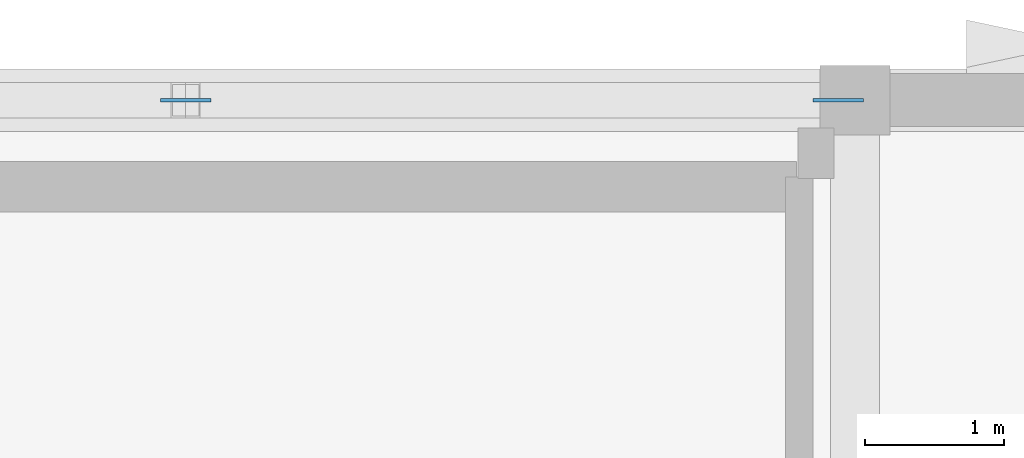
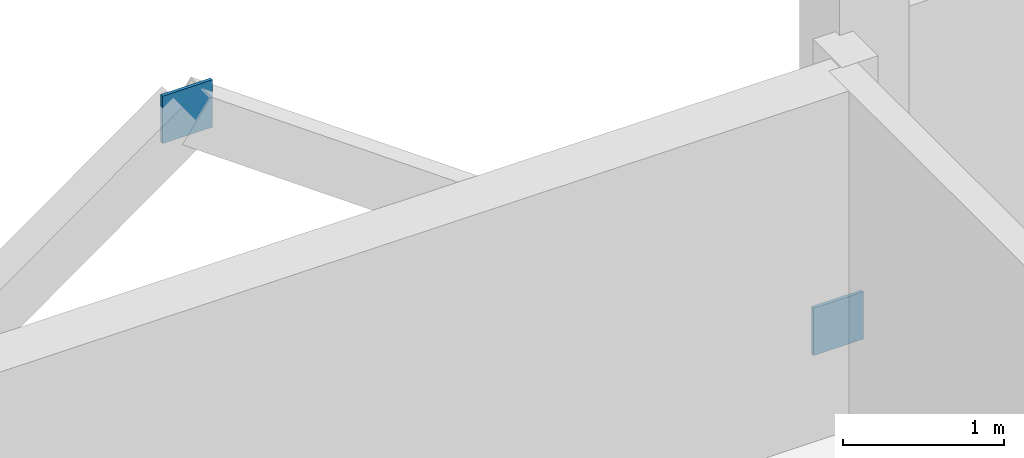
# One storey, part 5 of 13: 2 plates.
"""IFC4 building model written with IfcOpenShell, lengths in metres."""

from ifc_helpers import new_model, si_unit, direction, frame, origin, origin_2d, place, context, subcontext, project, spatial, rectangle, extrude, material, layer, layer_set, type_object, element, save


model = new_model("IFC4")

# Units and contexts
model_context = context("Model", 3, precision=1e-05, world=origin(), true_north=direction((0.0, 1.0)))
body_context = subcontext(model_context, "Body", "Model", "MODEL_VIEW")
ifc_project = project(units=[si_unit("LENGTHUNIT", "METRE"), si_unit("AREAUNIT", "SQUARE_METRE"), si_unit("VOLUMEUNIT", "CUBIC_METRE"), si_unit("PLANEANGLEUNIT", "RADIAN"), si_unit("MASSUNIT", "GRAM", prefix="KILO")], contexts=[model_context])

# Site, building, storey
site_placement = place(None, origin())
site = spatial("IfcSite", under=ifc_project, at=site_placement, CompositionType="ELEMENT")
building_placement = place(site_placement, origin())
building = spatial("IfcBuilding", under=site, at=building_placement, Name="Oolite Switchyard Hospital", CompositionType="ELEMENT")
storey_placement = place(building_placement, frame((0.0, 0.0, 30.39990234375)))
storey = spatial("IfcBuildingStorey", under=building, at=storey_placement, Name="L07", CompositionType="ELEMENT", Elevation=30.39990234375)

# Plates
ifc_material = material(Name="Steel ASTM A572 Grade 50", Category="steel")
ifc_layer = layer(ifc_material, 0.02392578125)
ifc_layer_set = layer_set([ifc_layer], Name="PLT-GUS-360")
plate_type = type_object("IfcPlateType", Name="PLT-GUS-360", PredefinedType="SHEET", material=ifc_layer_set)
for number, where, z_axis, x_axis, name in (
    (1, (191.8798828125, 134.39990234375, 0.02001953125), (0.0, 0.0, 1.0), (1.0, 0.0, 0.0), "L07 Brace Base Gusset Plate 89"),
    (2, (187.199951171875, 134.39990234375, 3.27001953125), (0.0, 0.0, 1.0), (1.0, 0.0, 0.0), "L07 Gusset Connection Plate 90"),
):
    element("IfcPlate", number, at=place(storey_placement, frame(where, z_axis=z_axis, x_axis=x_axis)), inside=storey, type_object=plate_type, Name=name, PredefinedType="SHEET", context=body_context, shape_type="SweptSolid", body=[
        extrude(rectangle(XDim=0.360107421875, YDim=0.02392578125, at=origin_2d()), origin(), (0.0, 0.0, 1.0), 0.360107421875),
    ])

save(model, "model.ifc")
